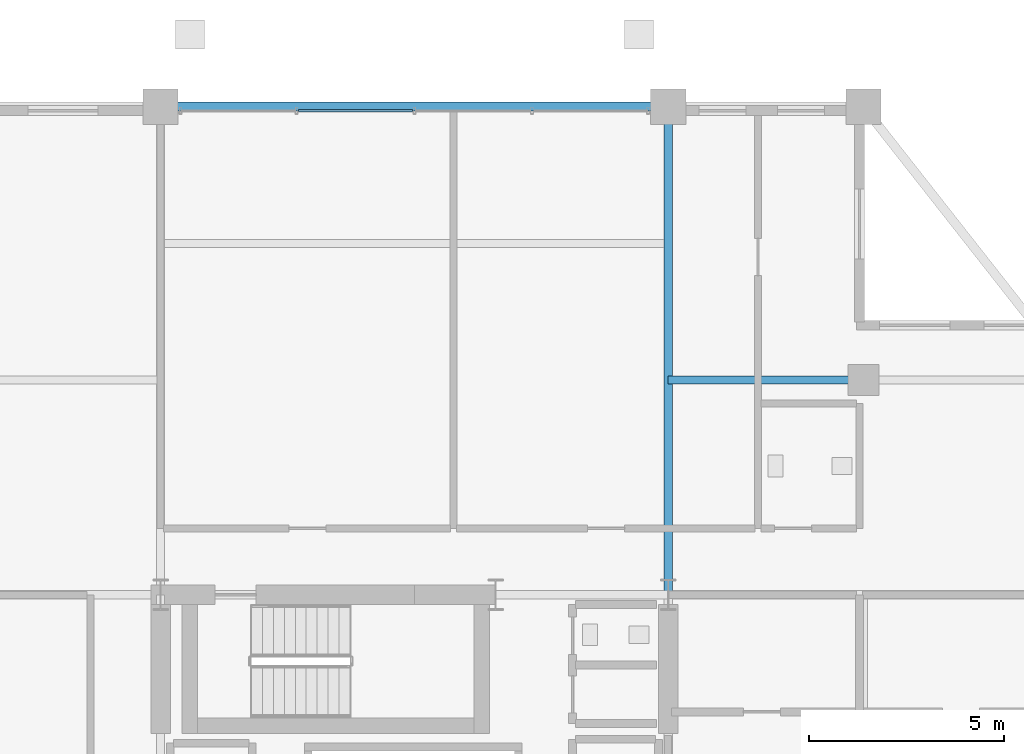
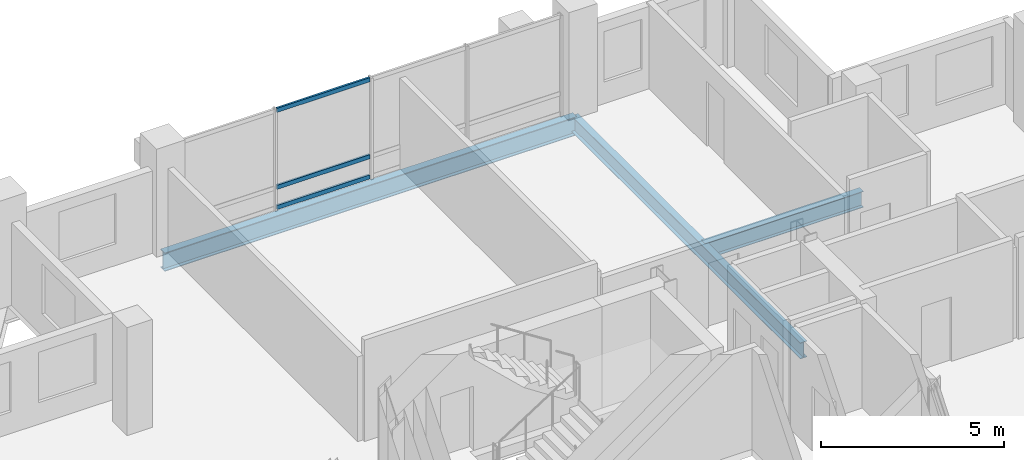
# One storey, part 13 of 21: 3 beams, 3 members, 1 element without a shape of its own.
"""IFC4 building model written with IfcOpenShell, lengths in metres."""

from ifc_helpers import new_model, si_unit, direction, frame, origin, origin_2d, place, context, subcontext, project, spatial, hollow_rectangle, i_section, extrude, material, layer, layer_set, material_profile, profile_set, type_object, element, aggregate, save


model = new_model("IFC4")

# Units and contexts
model_context = context("Model", 3, precision=1e-05, world=origin(), true_north=direction((0.0, 1.0)))
body_context = subcontext(model_context, "Body", "Model", "MODEL_VIEW")
ifc_project = project(units=[si_unit("LENGTHUNIT", "METRE"), si_unit("AREAUNIT", "SQUARE_METRE"), si_unit("VOLUMEUNIT", "CUBIC_METRE"), si_unit("PLANEANGLEUNIT", "RADIAN"), si_unit("MASSUNIT", "GRAM", prefix="KILO")], contexts=[model_context])

# Site, building, storey
site_placement = place(None, origin())
site = spatial("IfcSite", under=ifc_project, at=site_placement, CompositionType="ELEMENT")
building_placement = place(site_placement, origin())
building = spatial("IfcBuilding", under=site, at=building_placement, Name="Barlavira Tower and Art Museum", CompositionType="ELEMENT")
storey_placement = place(building_placement, frame((0.0, 0.0, 297.89990234375)))
storey = spatial("IfcBuildingStorey", under=building, at=storey_placement, Name="L78", CompositionType="ELEMENT", Elevation=297.89990234375)

# Curtain wall, members
ifc_material_1 = material(Name="Low-iron coastal laminated glass", Category="glass")
ifc_layer = layer(ifc_material_1, 0.2099609375, Name="Low-iron coastal laminated glass")
ifc_layer_set = layer_set([ifc_layer], Name="Low-iron coastal laminated glass")
curtain_wall_type = type_object("IfcCurtainWallType", Name="Pale-Metal Unitised Curtain Wall Zone 4", PredefinedType="NOTDEFINED", material=ifc_layer_set)
curtain_wall_placement = place(storey_placement, origin())
curtain_wall = element("IfcCurtainWall", 1, at=curtain_wall_placement, inside=storey, type_object=curtain_wall_type, Name="L78 Curtain Wall CW4-L78-N-B2", PredefinedType="NOTDEFINED")
ifc_material_2 = material(Name="Pale anodised aluminium", Category="aluminium")
ifc_material_profile_1 = material_profile(ifc_material_2, hollow_rectangle(XDim=0.06494140625, YDim=0.139892578125, WallThickness=0.00390625, at=origin_2d()), Name="ALU-TRAN 65x140x4")
ifc_profile_set_1 = profile_set([ifc_material_profile_1], Name="Pale anodised aluminium")
member_type = type_object("IfcMemberType", Name="Curtain Wall Pale-Metal Transom 65x140", PredefinedType="USERDEFINED", material=ifc_profile_set_1)
member_1_placement = place(storey_placement, frame((-0.044921875, 19.89990234375, 0.070068359375), z_axis=(-1.0, 0.0, 0.0), x_axis=(0.0, -1.0, 0.0)))
member_1 = element("IfcMember", 2, at=member_1_placement, type_object=member_type, Name="CW4-L78-N-B2 Transom 2.1", ObjectType="TRANSOM", PredefinedType="USERDEFINED", context=body_context, shape_type="SweptSolid", body=[
    extrude(hollow_rectangle(XDim=0.06494140625, YDim=0.139892578125, WallThickness=0.00390625, at=origin_2d()), origin(), (0.0, 0.0, 1.0), 2.925048828125),
])
member_2_placement = place(storey_placement, frame((-0.044921875, 19.89990234375, 0.744140625), z_axis=(-1.0, 0.0, 0.0), x_axis=(0.0, -1.0, 0.0)))
member_2 = element("IfcMember", 3, at=member_2_placement, type_object=member_type, Name="CW4-L78-N-B2 Transom 2.2", ObjectType="TRANSOM", PredefinedType="USERDEFINED", context=body_context, shape_type="SweptSolid", body=[
    extrude(hollow_rectangle(XDim=0.06494140625, YDim=0.139892578125, WallThickness=0.00390625, at=origin_2d()), origin(), (0.0, 0.0, 1.0), 2.925048828125),
])
member_3_placement = place(storey_placement, frame((-0.044921875, 19.89990234375, 3.31005859375), z_axis=(-1.0, 0.0, 0.0), x_axis=(0.0, -1.0, 0.0)))
member_3 = element("IfcMember", 4, at=member_3_placement, type_object=member_type, Name="CW4-L78-N-B2 Transom 2.3", ObjectType="TRANSOM", PredefinedType="USERDEFINED", context=body_context, shape_type="SweptSolid", body=[
    extrude(hollow_rectangle(XDim=0.06494140625, YDim=0.139892578125, WallThickness=0.00390625, at=origin_2d()), origin(), (0.0, 0.0, 1.0), 2.925048828125),
])
aggregate(curtain_wall, [member_1, member_2, member_3])

# Beams
ifc_material_3 = material(Name="Steel S355", Category="steel")
ifc_material_profile_2 = material_profile(ifc_material_3, i_section(OverallWidth=0.22998046875, OverallDepth=0.616943359375, WebThickness=0.01318359375, FlangeThickness=0.022216796875, at=origin_2d()), Name="W610x140.0")
ifc_profile_set_2 = profile_set([ifc_material_profile_2], Name="Steel S355")
beam_type_1 = type_object("IfcBeamType", Name="Upper Shaft Spandrel Edge Beam W610x140 Steel S355", PredefinedType="SPANDREL", material=ifc_profile_set_2)
beam_1_placement = place(storey_placement, frame((-6.5, 20.0, -0.5283203125), z_axis=(1.0, 0.0, 0.0), x_axis=(0.0, 1.0, 0.0)))
element("IfcBeam", 5, at=beam_1_placement, inside=storey, type_object=beam_type_1, Name="L78 Spandrel 10", PredefinedType="SPANDREL", context=body_context, shape_type="SweptSolid", body=[
    extrude(i_section(OverallWidth=0.22998046875, OverallDepth=0.616943359375, WebThickness=0.01318359375, FlangeThickness=0.022216796875, at=origin_2d()), origin(), (0.0, 0.0, 1.0), 13.0),
])
ifc_material_profile_3 = material_profile(ifc_material_3, i_section(OverallWidth=0.2109375, OverallDepth=0.5390625, WebThickness=0.01171875, FlangeThickness=0.018798828125, at=origin_2d()), Name="W530x109.0")
ifc_profile_set_3 = profile_set([ifc_material_profile_3], Name="Steel S355")
beam_type_2 = type_object("IfcBeamType", Name="Zone 3-4 Primary Floor Girder W530x109 Steel S355", PredefinedType="BEAM", material=ifc_profile_set_3)
beam_2_placement = place(storey_placement, frame((6.5, 7.5, -0.489501953125), z_axis=(0.0, 1.0, 0.0), x_axis=(-1.0, 0.0, 0.0)))
element("IfcBeam", 6, at=beam_2_placement, inside=storey, type_object=beam_type_2, Name="L78 Girder R-N2", PredefinedType="BEAM", context=body_context, shape_type="SweptSolid", body=[
    extrude(i_section(OverallWidth=0.2109375, OverallDepth=0.5390625, WebThickness=0.01171875, FlangeThickness=0.018798828125, at=origin_2d()), origin(), (0.0, 0.0, 1.0), 12.5),
])
beam_3_placement = place(storey_placement, frame((6.5, 13.0, -0.489501953125), z_axis=(1.0, 0.0, 0.0), x_axis=(0.0, 1.0, 0.0)))
element("IfcBeam", 7, at=beam_3_placement, inside=storey, type_object=beam_type_2, Name="L78 Girder I-N3", PredefinedType="BEAM", context=body_context, shape_type="SweptSolid", body=[
    extrude(i_section(OverallWidth=0.2109375, OverallDepth=0.5390625, WebThickness=0.01171875, FlangeThickness=0.018798828125, at=origin_2d()), origin(), (0.0, 0.0, 1.0), 5.0),
])

save(model, "model.ifc")
